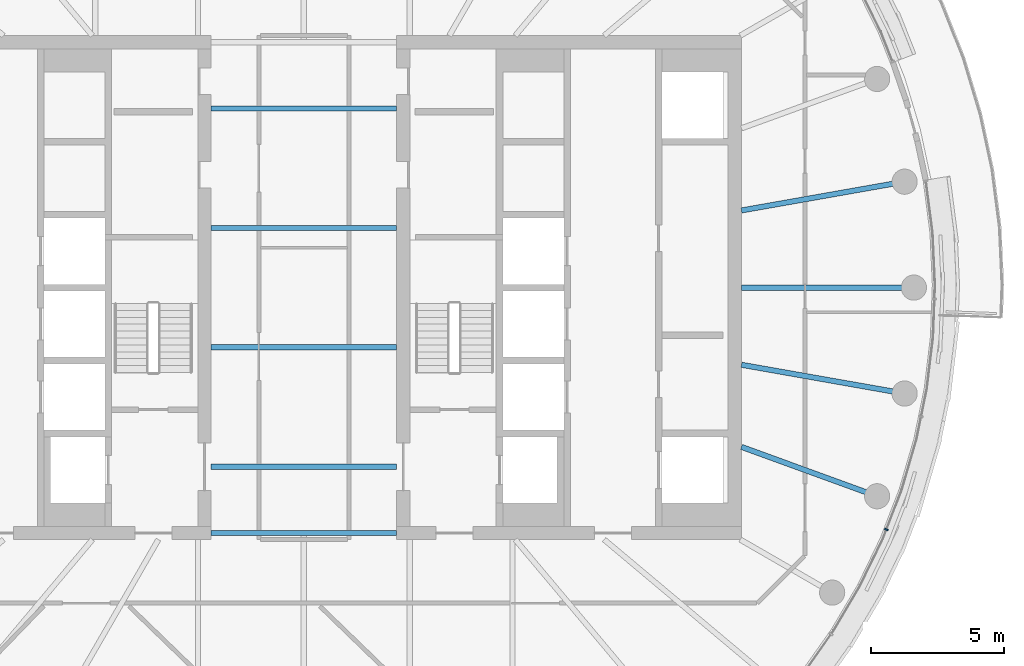
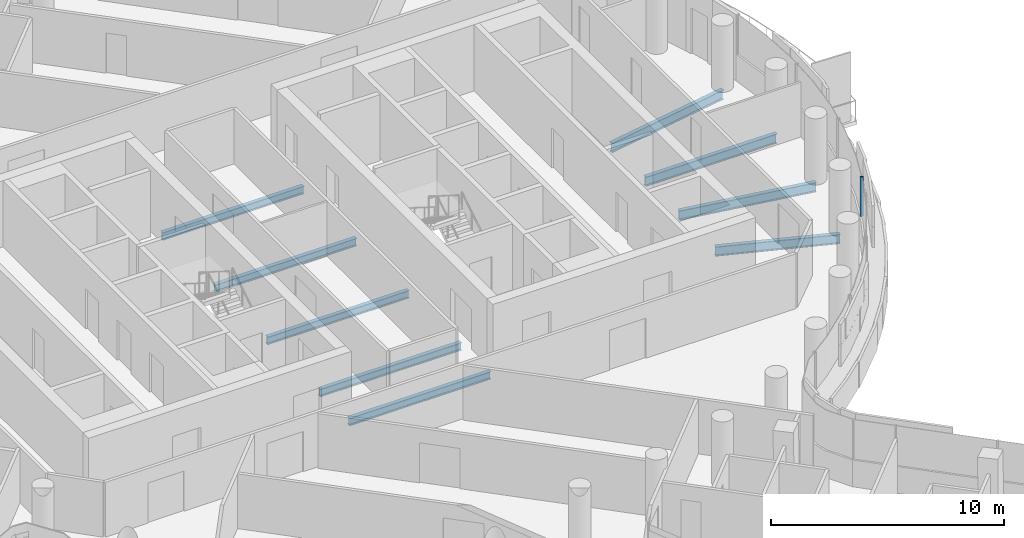
# One storey, part 11 of 31: 9 beams, 1 member, 1 element without a shape of its own.
"""IFC4 building model written with IfcOpenShell, lengths in metres."""

from ifc_helpers import new_model, si_unit, direction, frame, origin, origin_2d, place, context, subcontext, project, spatial, rectangle, i_section, extrude, material, layer, layer_set, material_profile, profile_set, type_object, element, aggregate, save


model = new_model("IFC4")

# Units and contexts
model_context = context("Model", 3, precision=1e-05, world=origin(), true_north=direction((0.0, 1.0)))
body_context = subcontext(model_context, "Body", "Model", "MODEL_VIEW")
ifc_project = project(units=[si_unit("LENGTHUNIT", "METRE"), si_unit("AREAUNIT", "SQUARE_METRE"), si_unit("VOLUMEUNIT", "CUBIC_METRE"), si_unit("PLANEANGLEUNIT", "RADIAN"), si_unit("MASSUNIT", "GRAM", prefix="KILO")], contexts=[model_context])

# Site, building, storey
site_placement = place(None, origin())
site = spatial("IfcSite", under=ifc_project, at=site_placement, CompositionType="ELEMENT")
building_placement = place(site_placement, origin())
building = spatial("IfcBuilding", under=site, at=building_placement, Name="Tamarind Cross Interchange Tower", CompositionType="ELEMENT")
storey_placement = place(building_placement, frame((0.0, 0.0, 200.5)))
storey = spatial("IfcBuildingStorey", under=building, at=storey_placement, Name="L50", CompositionType="ELEMENT", Elevation=200.5)

# Beams
ifc_material_1 = material(Name="Steel Q355B", Category="steel")
ifc_material_profile_1 = material_profile(ifc_material_1, i_section(OverallWidth=0.199951171875, OverallDepth=0.39990234375, WebThickness=0.008056640625, FlangeThickness=0.012939453125, FilletRadius=0.01611328125, at=origin_2d()), Name="HN 400x200x8x13")
ifc_profile_set_1 = profile_set([ifc_material_profile_1], Name="Steel Q355B")
beam_type_1 = type_object("IfcBeamType", Name="Composite beam HN 400x200x8x13 Q355B", PredefinedType="BEAM", material=ifc_profile_set_1)
for number, where, z_axis, x_axis, name in (
    (1, (-3.5, -2.25, -0.340087890625), (1.0, 0.0, 0.0), (0.0, 1.0, 0.0), "Beam G-2.25"),
    (2, (-3.5, -6.75, -0.340087890625), (1.0, 0.0, 0.0), (0.0, 1.0, 0.0), "Beam G-6.75"),
    (3, (-3.5, -9.25, -0.340087890625), (1.0, 0.0, 0.0), (0.0, 1.0, 0.0), "Beam G-9.25"),
    (4, (-3.5, 2.25, -0.340087890625), (1.0, 0.0, 0.0), (0.0, 1.0, 0.0), "Beam G2.25"),
    (5, (-3.5, 6.75, -0.340087890625), (1.0, 0.0, 0.0), (0.0, 1.0, 0.0), "Beam G6.75"),
):
    element("IfcBeam", number, at=place(storey_placement, frame(where, z_axis=z_axis, x_axis=x_axis)), inside=storey, type_object=beam_type_1, Name=name, PredefinedType="BEAM", context=body_context, shape_type="SweptSolid", body=[
        extrude(i_section(OverallWidth=0.199951171875, OverallDepth=0.39990234375, WebThickness=0.008056640625, FlangeThickness=0.012939453125, FilletRadius=0.01611328125, at=origin_2d()), origin(), (0.0, 0.0, 1.0), 7.0),
    ])
ifc_material_profile_2 = material_profile(ifc_material_1, i_section(OverallWidth=0.198974609375, OverallDepth=0.49609375, WebThickness=0.009033203125, FlangeThickness=0.013916015625, FilletRadius=0.012939453125, at=origin_2d()), Name="HN 496x199x9x14")
ifc_profile_set_2 = profile_set([ifc_material_profile_2], Name="Steel Q355B")
beam_type_2 = type_object("IfcBeamType", Name="Composite beam HN 496x199x9x14 Q355B", PredefinedType="BEAM", material=ifc_profile_set_2)
beam_1_placement = place(storey_placement, frame((23.0, 0.0, -0.387939453125), z_axis=(-1.0, 0.0, 0.0), x_axis=(0.0, -1.0, 0.0)))
element("IfcBeam", 6, at=beam_1_placement, inside=storey, type_object=beam_type_2, Name="Beam HH00", PredefinedType="BEAM", context=body_context, shape_type="SweptSolid", body=[
    extrude(i_section(OverallWidth=0.198974609375, OverallDepth=0.49609375, WebThickness=0.009033203125, FlangeThickness=0.013916015625, FilletRadius=0.012939453125, at=origin_2d()), origin(), (0.0, 0.0, 1.0), 6.5),
])
beam_2_placement = place(storey_placement, frame((22.650634765625, 3.993896484375, -0.387939453125), z_axis=(-0.984809127561, -0.173640382036, 0.0), x_axis=(0.173640382036, -0.984809127561, 0.0)))
element("IfcBeam", 7, at=beam_2_placement, inside=storey, type_object=beam_type_2, Name="Beam HH01", PredefinedType="BEAM", context=body_context, shape_type="SweptSolid", body=[
    extrude(i_section(OverallWidth=0.198974609375, OverallDepth=0.49609375, WebThickness=0.009033203125, FlangeThickness=0.013916015625, FilletRadius=0.012939453125, at=origin_2d()), origin(), (0.0, 0.0, 1.0), 6.24560546875),
])
beam_3_placement = place(storey_placement, frame((21.613037109375, -7.866455078125, -0.387939453125), z_axis=(-0.939701685589, 0.341995236956, 0.0), x_axis=(-0.341995236956, -0.939701685589, 0.0)))
element("IfcBeam", 8, at=beam_3_placement, inside=storey, type_object=beam_type_2, Name="Beam HH34", PredefinedType="BEAM", context=body_context, shape_type="SweptSolid", body=[
    extrude(i_section(OverallWidth=0.198974609375, OverallDepth=0.49609375, WebThickness=0.009033203125, FlangeThickness=0.013916015625, FilletRadius=0.012939453125, at=origin_2d()), origin(), (0.0, 0.0, 1.0), 5.441162109375),
])
beam_4_placement = place(storey_placement, frame((22.650634765625, -3.993896484375, -0.387939453125), z_axis=(-0.984809127561, 0.173640382036, 0.0), x_axis=(-0.173640382036, -0.984809127561, 0.0)))
element("IfcBeam", 9, at=beam_4_placement, inside=storey, type_object=beam_type_2, Name="Beam HH35", PredefinedType="BEAM", context=body_context, shape_type="SweptSolid", body=[
    extrude(i_section(OverallWidth=0.198974609375, OverallDepth=0.49609375, WebThickness=0.009033203125, FlangeThickness=0.013916015625, FilletRadius=0.012939453125, at=origin_2d()), origin(), (0.0, 0.0, 1.0), 6.24560546875),
])

# Curtain wall, member
ifc_material_2 = material(Name="Aluminium 6063-T6", Category="aluminium")
ifc_layer = layer(ifc_material_2, 0.139892578125)
ifc_layer_set = layer_set([ifc_layer], Name="Aluminium 6063-T6")
curtain_wall_type = type_object("IfcCurtainWallType", Name="Hotel curtain wall, 4.5 m bays", PredefinedType="NOTDEFINED", material=ifc_layer_set)
curtain_wall_placement = place(storey_placement, origin())
curtain_wall = element("IfcCurtainWall", 10, at=curtain_wall_placement, inside=storey, type_object=curtain_wall_type, Name="CWS-L50-06", PredefinedType="NOTDEFINED")
ifc_material_profile_3 = material_profile(ifc_material_2, rectangle(XDim=0.06005859375, YDim=0.139892578125, at=origin_2d()), Name="Mullion CW2")
ifc_profile_set_3 = profile_set([ifc_material_profile_3], Name="Aluminium 6063-T6")
member_type = type_object("IfcMemberType", Name="Mullion CW2", PredefinedType="MULLION", material=ifc_profile_set_3)
member_placement = place(storey_placement, frame((21.96484375, -9.120849609375, 1.39990234375), z_axis=(0.0, 0.0, 1.0), x_axis=(0.359495435512, 0.933146843667, 0.0)))
member = element("IfcMember", 11, at=member_placement, type_object=member_type, Name="CWM-L50-06-04", PredefinedType="MULLION", context=body_context, shape_type="SweptSolid", body=[
    extrude(rectangle(XDim=0.06005859375, YDim=0.139892578125, at=origin_2d()), origin(), (0.0, 0.0, 1.0), 2.06005859375),
])
aggregate(curtain_wall, [member])

save(model, "model.ifc")
